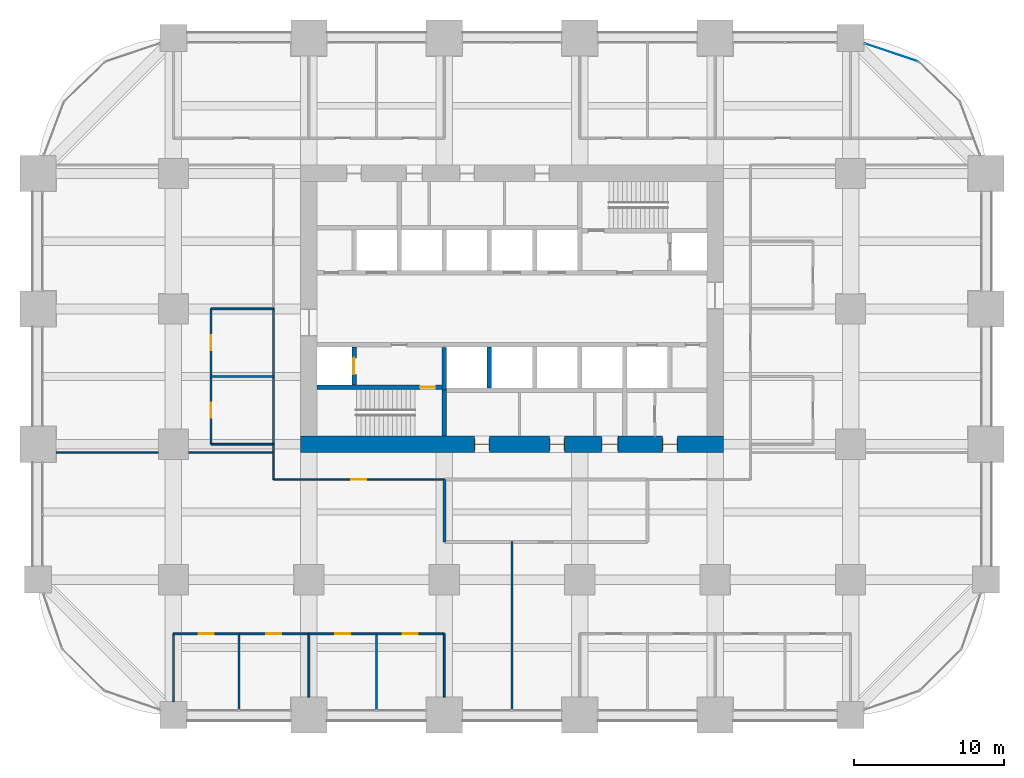
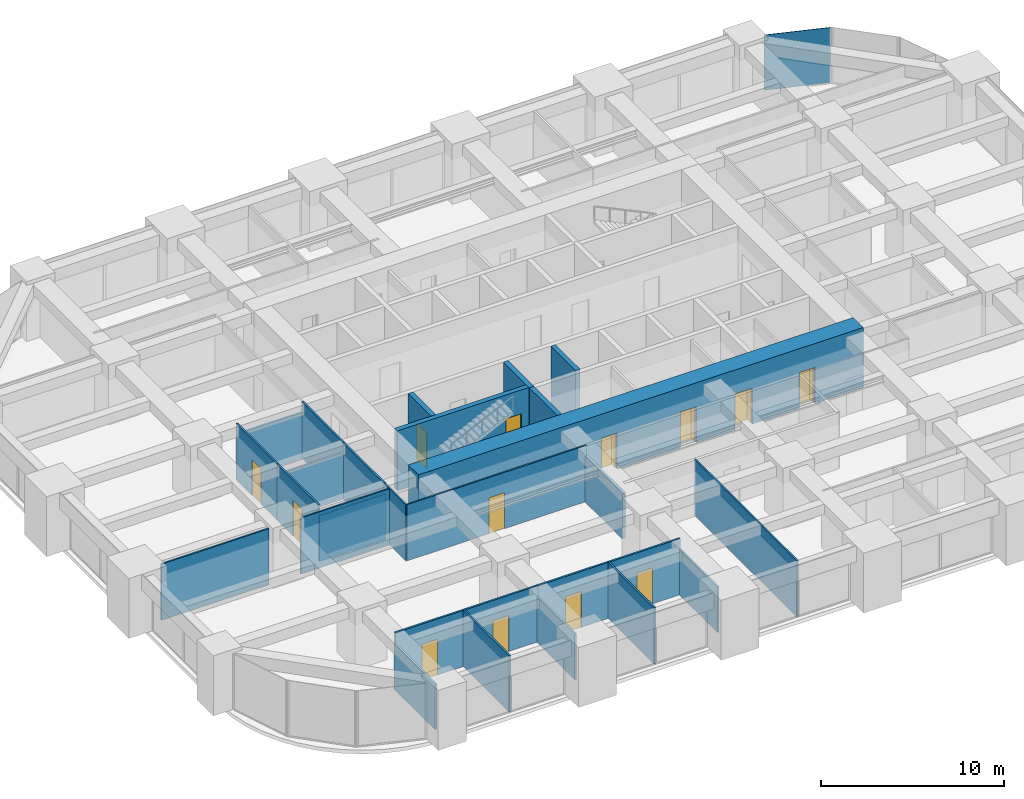
# One storey, part 36 of 41: 28 walls, 13 doors, 1 plate, 13 openings, 1 element without a shape of its own.
"""IFC4 building model written with IfcOpenShell, lengths in metres."""

from ifc_helpers import new_model, si_unit, direction, frame, frame_2d, origin, origin_2d, place, context, subcontext, project, spatial, rectangle, extrude, material, layer, layer_set, type_object, element, fill, aggregate, save


model = new_model("IFC4")

# Units and contexts
model_context = context("Model", 3, precision=1e-05, world=origin(), true_north=direction((0.0, 1.0)))
body_context = subcontext(model_context, "Body", "Model", "MODEL_VIEW")
ifc_project = project(units=[si_unit("LENGTHUNIT", "METRE"), si_unit("AREAUNIT", "SQUARE_METRE"), si_unit("VOLUMEUNIT", "CUBIC_METRE"), si_unit("PLANEANGLEUNIT", "RADIAN"), si_unit("MASSUNIT", "GRAM", prefix="KILO")], contexts=[model_context])

# Site, building, storey
site_placement = place(None, origin())
site = spatial("IfcSite", under=ifc_project, at=site_placement, CompositionType="ELEMENT")
building_placement = place(site_placement, origin())
building = spatial("IfcBuilding", under=site, at=building_placement, Name="Zorevar Civic Tower", CompositionType="ELEMENT")
storey_placement = place(building_placement, frame((0.0, 0.0, 105.0)))
storey = spatial("IfcBuildingStorey", under=building, at=storey_placement, Name="L25", CompositionType="ELEMENT", Elevation=105.0)

# Curtain wall, plate
ifc_material_1 = material(Name="Dark grey solar-control glass in black aluminium frame", Category="aluminium")
curtain_wall_type = type_object("IfcCurtainWallType", Name="Curtain wall CW3 mid zone", PredefinedType="NOTDEFINED", material=ifc_material_1)
curtain_wall_placement = place(storey_placement, origin())
curtain_wall = element("IfcCurtainWall", 1, at=curtain_wall_placement, inside=storey, type_object=curtain_wall_type, Name="CW3 L25", PredefinedType="NOTDEFINED")
ifc_material_2 = material(Name="Dark grey solar-control glass", Category="glass")
ifc_layer_1 = layer(ifc_material_2, 0.030029296875)
ifc_layer_set_1 = layer_set([ifc_layer_1], Name="CW3 panel 30")
plate_type = type_object("IfcPlateType", Name="CW3 panel 30", PredefinedType="CURTAIN_PANEL", material=ifc_layer_set_1)
plate_placement = place(storey_placement, frame((56.7109375, 44.04296875, 0.06005859375), z_axis=(0.0, 0.0, 1.0), x_axis=(-0.947615765406, 0.319412525043, 0.0)))
plate = element("IfcPlate", 2, at=plate_placement, type_object=plate_type, Name="CW3 panel 1.1", PredefinedType="CURTAIN_PANEL", context=body_context, shape_type="SweptSolid", body=[
    extrude(rectangle(XDim=3.7021484375, YDim=0.030029296875, at=origin_2d()), origin(), (0.0, 0.0, 1.0), 3.68994140625),
])
aggregate(curtain_wall, [plate])

# Wall
ifc_material_3 = material(Name="Concrete blockwork", Category="masonry")
ifc_layer_2 = layer(ifc_material_3, 0.199951171875)
ifc_layer_set_2 = layer_set([ifc_layer_2], Name="Blockwork wall 200")
wall_type_1 = type_object("IfcWallType", Name="Blockwork wall 200", PredefinedType="SOLIDWALL", material=ifc_layer_set_2)
wall_1_placement = place(storey_placement, frame((27.0, 11.5, 0.0), z_axis=(0.0, 0.0, 1.0), x_axis=(0.0, 1.0, 0.0)))
element("IfcWall", 3, at=wall_1_placement, inside=storey, type_object=wall_type_1, Name="Blockwork wall 200 L25", PredefinedType="SOLIDWALL", context=body_context, shape_type="SweptSolid", body=[
    extrude(rectangle(XDim=4.14990234375, YDim=0.199951171875, at=frame_2d((2.074951171875, 0.0))), origin(), (0.0, 0.0, 1.0), 3.050048828125),
])

# Wall, openings, doors
ifc_material_4 = material(Name="Concrete C50/60", Category="concrete")
ifc_layer_3 = layer(ifc_material_4, 1.10009765625)
ifc_layer_set_3 = layer_set([ifc_layer_3], Name="Core wall 1100")
wall_type_2 = type_object("IfcWallType", Name="Core wall 1100", PredefinedType="SHEAR", material=ifc_layer_set_3)
wall_2_placement = place(storey_placement, frame((17.449951171875, 18.0, 0.0), z_axis=(0.0, 0.0, 1.0), x_axis=(1.0, 0.0, 0.0)))
wall_2 = element("IfcWall", 4, at=wall_2_placement, inside=storey, type_object=wall_type_2, Name="Core wall S L25", PredefinedType="SHEAR", context=body_context, shape_type="SweptSolid", body=[
    extrude(rectangle(XDim=28.10009765625, YDim=1.10009765625, at=frame_2d((14.050048828125, 0.0))), origin(), (0.0, 0.0, 1.0), 4.0),
])
opening_1_placement = place(wall_2_placement, frame((11.550048828125, 0.0, 0.0)))
opening_1 = element("IfcOpeningElement", 5, at=opening_1_placement, cuts=wall_2, Name="Opening L25.03", PredefinedType="OPENING", context=body_context, shape_type="SweptSolid", body=[
    extrude(rectangle(XDim=1.0, YDim=2.39990234375, at=frame_2d((0.5, 1.199951171875))), frame((0.0, 0.56005859375, 0.0), z_axis=(0.0, -1.0, 0.0), x_axis=(1.0, 0.0, 0.0)), (0.0, 0.0, 1.0), 1.1201171875),
])
opening_2_placement = place(wall_2_placement, frame((16.550048828125, 0.0, 0.0)))
opening_2 = element("IfcOpeningElement", 6, at=opening_2_placement, cuts=wall_2, Name="Opening L25.04", PredefinedType="OPENING", context=body_context, shape_type="SweptSolid", body=[
    extrude(rectangle(XDim=1.0, YDim=2.39990234375, at=frame_2d((0.5, 1.199951171875))), frame((0.0, 0.56005859375, 0.0), z_axis=(0.0, -1.0, 0.0), x_axis=(1.0, 0.0, 0.0)), (0.0, 0.0, 1.0), 1.1201171875),
])
opening_3_placement = place(wall_2_placement, frame((20.0, 0.0, 0.0)))
opening_3 = element("IfcOpeningElement", 7, at=opening_3_placement, cuts=wall_2, Name="Opening L25.05", PredefinedType="OPENING", context=body_context, shape_type="SweptSolid", body=[
    extrude(rectangle(XDim=1.10009765625, YDim=2.39990234375, at=frame_2d((0.550048828125, 1.199951171875))), frame((0.0, 0.56005859375, 0.0), z_axis=(0.0, -1.0, 0.0), x_axis=(1.0, 0.0, 0.0)), (0.0, 0.0, 1.0), 1.1201171875),
])
opening_4_placement = place(wall_2_placement, frame((24.050048828125, 0.0, 0.0)))
opening_4 = element("IfcOpeningElement", 8, at=opening_4_placement, cuts=wall_2, Name="Opening L25.06", PredefinedType="OPENING", context=body_context, shape_type="SweptSolid", body=[
    extrude(rectangle(XDim=1.0, YDim=2.39990234375, at=frame_2d((0.5, 1.199951171875))), frame((0.0, 0.56005859375, 0.0), z_axis=(0.0, -1.0, 0.0), x_axis=(1.0, 0.0, 0.0)), (0.0, 0.0, 1.0), 1.1201171875),
])
ifc_material_5 = material(Name="Timber door set", Category="wood")
door_type_1 = type_object("IfcDoorType", Name="Door D1 1000x2400", OperationType="SINGLE_SWING_LEFT", PredefinedType="DOOR", material=ifc_material_5)
door_1_placement = place(opening_1_placement, origin())
door_1 = element("IfcDoor", 9, at=door_1_placement, inside=storey, type_object=door_type_1, Name="Door L25 02", OperationType="SINGLE_SWING_RIGHT", OverallHeight=2.39990234375, OverallWidth=1.0, PredefinedType="DOOR", context=body_context, shape_type="SweptSolid", body=[
    extrude(rectangle(XDim=1.0, YDim=2.39990234375, at=frame_2d((0.5, 1.199951171875))), frame((0.0, 0.02490234375, 0.0), z_axis=(0.0, -1.0, 0.0), x_axis=(1.0, 0.0, 0.0)), (0.0, 0.0, 1.0), 0.050048828125),
    extrude(rectangle(XDim=0.04, YDim=2.39990234375, at=frame_2d((0.02001953125, 1.199951171875))), frame((0.0, 0.39990234375, 0.0), z_axis=(0.0, -1.0, 0.0), x_axis=(1.0, 0.0, 0.0)), (0.0, 0.0, 1.0), 0.800048828125),
    extrude(rectangle(XDim=0.04, YDim=2.39990234375, at=frame_2d((0.97998046875, 1.199951171875))), frame((0.0, 0.39990234375, 0.0), z_axis=(0.0, -1.0, 0.0), x_axis=(1.0, 0.0, 0.0)), (0.0, 0.0, 1.0), 0.800048828125),
    extrude(rectangle(XDim=1.0, YDim=0.04, at=frame_2d((0.5, 2.3798828125))), frame((0.0, 0.39990234375, 0.0), z_axis=(0.0, -1.0, 0.0), x_axis=(1.0, 0.0, 0.0)), (0.0, 0.0, 1.0), 0.800048828125),
])
fill(opening_1, door_1)
door_2_placement = place(opening_2_placement, origin())
door_2 = element("IfcDoor", 10, at=door_2_placement, inside=storey, type_object=door_type_1, Name="Door L25 03", OperationType="SINGLE_SWING_LEFT", OverallHeight=2.39990234375, OverallWidth=1.0, PredefinedType="DOOR", context=body_context, shape_type="SweptSolid", body=[
    extrude(rectangle(XDim=1.0, YDim=2.39990234375, at=frame_2d((0.5, 1.199951171875))), frame((0.0, 0.02490234375, 0.0), z_axis=(0.0, -1.0, 0.0), x_axis=(1.0, 0.0, 0.0)), (0.0, 0.0, 1.0), 0.050048828125),
    extrude(rectangle(XDim=0.04, YDim=2.39990234375, at=frame_2d((0.02001953125, 1.199951171875))), frame((0.0, 0.39990234375, 0.0), z_axis=(0.0, -1.0, 0.0), x_axis=(1.0, 0.0, 0.0)), (0.0, 0.0, 1.0), 0.800048828125),
    extrude(rectangle(XDim=0.04, YDim=2.39990234375, at=frame_2d((0.97998046875, 1.199951171875))), frame((0.0, 0.39990234375, 0.0), z_axis=(0.0, -1.0, 0.0), x_axis=(1.0, 0.0, 0.0)), (0.0, 0.0, 1.0), 0.800048828125),
    extrude(rectangle(XDim=1.0, YDim=0.04, at=frame_2d((0.5, 2.3798828125))), frame((0.0, 0.39990234375, 0.0), z_axis=(0.0, -1.0, 0.0), x_axis=(1.0, 0.0, 0.0)), (0.0, 0.0, 1.0), 0.800048828125),
])
fill(opening_2, door_2)
door_3_placement = place(opening_4_placement, origin())
door_3 = element("IfcDoor", 11, at=door_3_placement, inside=storey, type_object=door_type_1, Name="Door L25 05", OperationType="SINGLE_SWING_LEFT", OverallHeight=2.39990234375, OverallWidth=1.0, PredefinedType="DOOR", context=body_context, shape_type="SweptSolid", body=[
    extrude(rectangle(XDim=1.0, YDim=2.39990234375, at=frame_2d((0.5, 1.199951171875))), frame((0.0, 0.02490234375, 0.0), z_axis=(0.0, -1.0, 0.0), x_axis=(1.0, 0.0, 0.0)), (0.0, 0.0, 1.0), 0.050048828125),
    extrude(rectangle(XDim=0.04, YDim=2.39990234375, at=frame_2d((0.02001953125, 1.199951171875))), frame((0.0, 0.39990234375, 0.0), z_axis=(0.0, -1.0, 0.0), x_axis=(1.0, 0.0, 0.0)), (0.0, 0.0, 1.0), 0.800048828125),
    extrude(rectangle(XDim=0.04, YDim=2.39990234375, at=frame_2d((0.97998046875, 1.199951171875))), frame((0.0, 0.39990234375, 0.0), z_axis=(0.0, -1.0, 0.0), x_axis=(1.0, 0.0, 0.0)), (0.0, 0.0, 1.0), 0.800048828125),
    extrude(rectangle(XDim=1.0, YDim=0.04, at=frame_2d((0.5, 2.3798828125))), frame((0.0, 0.39990234375, 0.0), z_axis=(0.0, -1.0, 0.0), x_axis=(1.0, 0.0, 0.0)), (0.0, 0.0, 1.0), 0.800048828125),
])
fill(opening_4, door_3)
ifc_material_6 = material(Name="Timber door set", Category="wood")
door_type_2 = type_object("IfcDoorType", Name="Door D5 1100x2400", OperationType="SINGLE_SWING_LEFT", PredefinedType="DOOR", material=ifc_material_6)
door_4_placement = place(opening_3_placement, origin())
door_4 = element("IfcDoor", 12, at=door_4_placement, inside=storey, type_object=door_type_2, Name="Door L25 04", OperationType="SINGLE_SWING_LEFT", OverallHeight=2.39990234375, OverallWidth=1.10009765625, PredefinedType="DOOR", context=body_context, shape_type="SweptSolid", body=[
    extrude(rectangle(XDim=1.10009765625, YDim=2.39990234375, at=frame_2d((0.550048828125, 1.199951171875))), frame((0.0, 0.02490234375, 0.0), z_axis=(0.0, -1.0, 0.0), x_axis=(1.0, 0.0, 0.0)), (0.0, 0.0, 1.0), 0.050048828125),
    extrude(rectangle(XDim=0.04, YDim=2.39990234375, at=frame_2d((0.02001953125, 1.199951171875))), frame((0.0, 0.43994140625, 0.0), z_axis=(0.0, -1.0, 0.0), x_axis=(1.0, 0.0, 0.0)), (0.0, 0.0, 1.0), 0.880126953125),
    extrude(rectangle(XDim=0.04, YDim=2.39990234375, at=frame_2d((1.080078125, 1.199951171875))), frame((0.0, 0.43994140625, 0.0), z_axis=(0.0, -1.0, 0.0), x_axis=(1.0, 0.0, 0.0)), (0.0, 0.0, 1.0), 0.880126953125),
    extrude(rectangle(XDim=1.10009765625, YDim=0.04, at=frame_2d((0.550048828125, 2.3798828125))), frame((0.0, 0.43994140625, 0.0), z_axis=(0.0, -1.0, 0.0), x_axis=(1.0, 0.0, 0.0)), (0.0, 0.0, 1.0), 0.880126953125),
])
fill(opening_3, door_4)

# Wall, opening, door
ifc_material_7 = material(Name="Laminated glass in black aluminium frame", Category="aluminium")
ifc_layer_4 = layer(ifc_material_7, 0.10009765625)
ifc_layer_set_4 = layer_set([ifc_layer_4], Name="Glazed partition 100")
wall_type_3 = type_object("IfcWallType", Name="Glazed partition 100", PredefinedType="PARTITIONING", material=ifc_layer_set_4)
wall_3_placement = place(storey_placement, frame((15.64990234375, 15.64990234375, 0.0), z_axis=(0.0, 0.0, 1.0), x_axis=(1.0, 0.0, 0.0)))
wall_3 = element("IfcWall", 13, at=wall_3_placement, inside=storey, type_object=wall_type_3, Name="Glazed partition 100 L25", PredefinedType="PARTITIONING", context=body_context, shape_type="SweptSolid", body=[
    extrude(rectangle(XDim=11.35009765625, YDim=0.10009765625, at=frame_2d((5.675048828125, 0.0))), origin(), (0.0, 0.0, 1.0), 3.75),
])
opening_5_placement = place(wall_3_placement, frame((5.175048828125, 0.0, 0.0)))
opening_5 = element("IfcOpeningElement", 14, at=opening_5_placement, cuts=wall_3, Name="Opening L25.26", PredefinedType="OPENING", context=body_context, shape_type="SweptSolid", body=[
    extrude(rectangle(XDim=1.0, YDim=2.39990234375, at=frame_2d((0.5, 1.199951171875))), frame((0.0, 0.06005859375, 0.0), z_axis=(0.0, -1.0, 0.0), x_axis=(1.0, 0.0, 0.0)), (0.0, 0.0, 1.0), 0.1201171875),
])
ifc_material_8 = material(Name="Timber door set", Category="wood")
door_type_3 = type_object("IfcDoorType", Name="Glazed door GD1 1000x2400", OperationType="SINGLE_SWING_LEFT", PredefinedType="DOOR", material=ifc_material_8)
door_5_placement = place(opening_5_placement, origin())
door_5 = element("IfcDoor", 15, at=door_5_placement, inside=storey, type_object=door_type_3, Name="Door L25 D1", OperationType="SINGLE_SWING_RIGHT", OverallHeight=2.39990234375, OverallWidth=1.0, PredefinedType="DOOR", context=body_context, shape_type="SweptSolid", body=[
    extrude(rectangle(XDim=1.0, YDim=2.39990234375, at=frame_2d((0.5, 1.199951171875))), frame((0.0, 0.02001953125, 0.0), z_axis=(0.0, -1.0, 0.0), x_axis=(1.0, 0.0, 0.0)), (0.0, 0.0, 1.0), 0.0400390625),
])
fill(opening_5, door_5)

# Walls
wall_4_placement = place(storey_placement, frame((1.199951171875, 17.449951171875, 0.0), z_axis=(0.0, 0.0, 1.0), x_axis=(1.0, 0.0, 0.0)))
element("IfcWall", 16, at=wall_4_placement, inside=storey, type_object=wall_type_3, Name="Glazed partition 100 L25", PredefinedType="PARTITIONING", context=body_context, shape_type="SweptSolid", body=[
    extrude(rectangle(XDim=6.800048828125, YDim=0.10009765625, at=frame_2d((3.39990234375, 0.0))), origin(), (0.0, 0.0, 1.0), 3.75),
])
wall_5_placement = place(storey_placement, frame((10.0, 17.449951171875, 0.0), z_axis=(0.0, 0.0, 1.0), x_axis=(1.0, 0.0, 0.0)))
element("IfcWall", 17, at=wall_5_placement, inside=storey, type_object=wall_type_3, Name="Glazed partition 100 L25", PredefinedType="PARTITIONING", context=body_context, shape_type="SweptSolid", body=[
    extrude(rectangle(XDim=5.64990234375, YDim=0.10009765625, at=frame_2d((2.824951171875, 0.0))), origin(), (0.0, 0.0, 1.0), 3.75),
])
wall_6_placement = place(storey_placement, frame((15.64990234375, 15.64990234375, 0.0), z_axis=(0.0, 0.0, 1.0), x_axis=(0.0, 1.0, 0.0)))
element("IfcWall", 18, at=wall_6_placement, inside=storey, type_object=wall_type_3, Name="Glazed partition 100 L25", PredefinedType="PARTITIONING", context=body_context, shape_type="SweptSolid", body=[
    extrude(rectangle(XDim=2.35009765625, YDim=0.10009765625, at=frame_2d((1.175048828125, 0.0))), origin(), (0.0, 0.0, 1.0), 3.75),
])
wall_7_placement = place(storey_placement, frame((31.5, 0.31005859375, 0.0), z_axis=(0.0, 0.0, 1.0), x_axis=(0.0, 1.0, 0.0)))
element("IfcWall", 19, at=wall_7_placement, inside=storey, type_object=wall_type_3, Name="Glazed partition 100 L25", PredefinedType="PARTITIONING", context=body_context, shape_type="SweptSolid", body=[
    extrude(rectangle(XDim=11.199951171875, YDim=0.10009765625, at=frame_2d((5.60009765625, 0.0))), origin(), (0.0, 0.0, 1.0), 3.75),
])

# Wall, opening, door
ifc_material_9 = material(Name="Concrete C40/50", Category="concrete")
ifc_layer_5 = layer(ifc_material_9, 0.300048828125)
ifc_layer_set_5 = layer_set([ifc_layer_5], Name="Inner core wall 300")
wall_type_4 = type_object("IfcWallType", Name="Inner core wall 300", PredefinedType="SHEAR", material=ifc_layer_set_5)
wall_8_placement = place(storey_placement, frame((18.550048828125, 21.800048828125, 0.0), z_axis=(0.0, 0.0, 1.0), x_axis=(1.0, 0.0, 0.0)))
wall_8 = element("IfcWall", 20, at=wall_8_placement, inside=storey, type_object=wall_type_4, Name="Inner core wall S00 L25", PredefinedType="SHEAR", context=body_context, shape_type="SweptSolid", body=[
    extrude(rectangle(XDim=8.300048828125, YDim=0.300048828125, at=frame_2d((4.14990234375, 0.0))), origin(), (0.0, 0.0, 1.0), 4.0),
])
opening_6_placement = place(wall_8_placement, frame((6.85009765625, 0.0, 0.0)))
opening_6 = element("IfcOpeningElement", 21, at=opening_6_placement, cuts=wall_8, Name="Opening L25.11", PredefinedType="OPENING", context=body_context, shape_type="SweptSolid", body=[
    extrude(rectangle(XDim=1.0, YDim=2.39990234375, at=frame_2d((0.5, 1.199951171875))), frame((0.0, 0.159912109375, 0.0), z_axis=(0.0, -1.0, 0.0), x_axis=(1.0, 0.0, 0.0)), (0.0, 0.0, 1.0), 0.320068359375),
])
ifc_material_10 = material(Name="Steel door set", Category="steel")
door_type_4 = type_object("IfcDoorType", Name="Fire door FD1 1000x2400", OperationType="SINGLE_SWING_LEFT", PredefinedType="DOOR", material=ifc_material_10)
door_6_placement = place(opening_6_placement, origin())
door_6 = element("IfcDoor", 22, at=door_6_placement, inside=storey, type_object=door_type_4, Name="Door L25 10", OperationType="SINGLE_SWING_RIGHT", OverallHeight=2.39990234375, OverallWidth=1.0, PredefinedType="DOOR", context=body_context, shape_type="SweptSolid", body=[
    extrude(rectangle(XDim=1.0, YDim=2.39990234375, at=frame_2d((0.5, 1.199951171875))), frame((0.0, 0.030029296875, 0.0), z_axis=(0.0, -1.0, 0.0), x_axis=(1.0, 0.0, 0.0)), (0.0, 0.0, 1.0), 0.06005859375),
])
fill(opening_6, door_6)

# Wall
wall_9_placement = place(storey_placement, frame((27.0, 18.550048828125, 0.0), z_axis=(0.0, 0.0, 1.0), x_axis=(0.0, 1.0, 0.0)))
element("IfcWall", 23, at=wall_9_placement, inside=storey, type_object=wall_type_4, Name="Inner core wall S01 L25", PredefinedType="SHEAR", context=body_context, shape_type="SweptSolid", body=[
    extrude(rectangle(XDim=3.050048828125, YDim=0.300048828125, at=frame_2d((1.52490234375, 0.0))), origin(), (0.0, 0.0, 1.0), 4.0),
])

# Wall, opening, door
wall_10_placement = place(storey_placement, frame((21.0, 21.949951171875, 0.0), z_axis=(0.0, 0.0, 1.0), x_axis=(0.0, 1.0, 0.0)))
wall_10 = element("IfcWall", 24, at=wall_10_placement, inside=storey, type_object=wall_type_4, Name="Inner core wall S02 L25", PredefinedType="SHEAR", context=body_context, shape_type="SweptSolid", body=[
    extrude(rectangle(XDim=2.5, YDim=0.300048828125, at=frame_2d((1.25, 0.0))), origin(), (0.0, 0.0, 1.0), 4.0),
])
opening_7_placement = place(wall_10_placement, frame((0.699951171875, 0.0, 0.0)))
opening_7 = element("IfcOpeningElement", 25, at=opening_7_placement, cuts=wall_10, Name="Opening L25.FL1", PredefinedType="OPENING", context=body_context, shape_type="SweptSolid", body=[
    extrude(rectangle(XDim=1.10009765625, YDim=2.39990234375, at=frame_2d((0.550048828125, 1.199951171875))), frame((0.0, 0.159912109375, 0.0), z_axis=(0.0, -1.0, 0.0), x_axis=(1.0, 0.0, 0.0)), (0.0, 0.0, 1.0), 0.320068359375),
])
ifc_material_11 = material(Name="Steel door set", Category="steel")
door_type_5 = type_object("IfcDoorType", Name="Firefighting lift landing door LD3 1100x2400", OperationType="DOUBLE_DOOR_SLIDING", PredefinedType="DOOR", material=ifc_material_11)
door_7_placement = place(opening_7_placement, origin())
door_7 = element("IfcDoor", 26, at=door_7_placement, inside=storey, type_object=door_type_5, Name="Landing door FL1 L25", OperationType="DOUBLE_DOOR_SLIDING", OverallHeight=2.39990234375, OverallWidth=1.10009765625, PredefinedType="DOOR", context=body_context, shape_type="SweptSolid", body=[
    extrude(rectangle(XDim=1.10009765625, YDim=2.39990234375, at=frame_2d((0.550048828125, 1.199951171875))), frame((0.0, 0.030029296875, 0.0), z_axis=(0.0, -1.0, 0.0), x_axis=(1.0, 0.0, 0.0)), (0.0, 0.0, 1.0), 0.06005859375),
])
fill(opening_7, door_7)

# Walls
wall_11_placement = place(storey_placement, frame((30.0, 21.75, 0.0), z_axis=(0.0, 0.0, 1.0), x_axis=(0.0, 1.0, 0.0)))
element("IfcWall", 27, at=wall_11_placement, inside=storey, type_object=wall_type_4, Name="Inner core wall S05 L25", PredefinedType="SHEAR", context=body_context, shape_type="SweptSolid", body=[
    extrude(rectangle(XDim=2.699951171875, YDim=0.300048828125, at=frame_2d((1.35009765625, 0.0))), origin(), (0.0, 0.0, 1.0), 4.0),
])
wall_12_placement = place(storey_placement, frame((27.0, 21.60009765625, 0.0), z_axis=(0.0, 0.0, 1.0), x_axis=(0.0, 1.0, 0.0)))
element("IfcWall", 28, at=wall_12_placement, inside=storey, type_object=wall_type_4, Name="Inner core wall S10 L25", PredefinedType="SHEAR", context=body_context, shape_type="SweptSolid", body=[
    extrude(rectangle(XDim=2.849853515625, YDim=0.300048828125, at=frame_2d((1.4248046875, 0.0))), origin(), (0.0, 0.0, 1.0), 4.0),
])

# Wall, opening, door
ifc_material_12 = material(Name="Gypsum board on steel studs", Category="steel")
ifc_layer_6 = layer(ifc_material_12, 0.1201171875)
ifc_layer_set_6 = layer_set([ifc_layer_6], Name="Partition 120")
wall_type_5 = type_object("IfcWallType", Name="Partition 120", PredefinedType="PARTITIONING", material=ifc_layer_set_6)
wall_13_placement = place(storey_placement, frame((9.0, 5.39990234375, 0.0), z_axis=(0.0, 0.0, 1.0), x_axis=(1.0, 0.0, 0.0)))
wall_13 = element("IfcWall", 29, at=wall_13_placement, inside=storey, type_object=wall_type_5, Name="Partition 120 L25", PredefinedType="PARTITIONING", context=body_context, shape_type="SweptSolid", body=[
    extrude(rectangle(XDim=4.35009765625, YDim=0.1201171875, at=frame_2d((2.175048828125, 0.0))), origin(), (0.0, 0.0, 1.0), 3.75),
])
opening_8_placement = place(wall_13_placement, frame((1.675048828125, 0.0, 0.0)))
opening_8 = element("IfcOpeningElement", 30, at=opening_8_placement, cuts=wall_13, Name="Opening L25.17", PredefinedType="OPENING", context=body_context, shape_type="SweptSolid", body=[
    extrude(rectangle(XDim=1.0, YDim=2.39990234375, at=frame_2d((0.5, 1.199951171875))), frame((0.0, 0.070068359375, 0.0), z_axis=(0.0, -1.0, 0.0), x_axis=(1.0, 0.0, 0.0)), (0.0, 0.0, 1.0), 0.14013671875),
])
door_8_placement = place(opening_8_placement, origin())
door_8 = element("IfcDoor", 31, at=door_8_placement, inside=storey, type_object=door_type_1, Name="Door L25 D1", OperationType="SINGLE_SWING_RIGHT", OverallHeight=2.39990234375, OverallWidth=1.0, PredefinedType="DOOR", context=body_context, shape_type="SweptSolid", body=[
    extrude(rectangle(XDim=1.0, YDim=2.39990234375, at=frame_2d((0.5, 1.199951171875))), frame((0.0, 0.02490234375, 0.0), z_axis=(0.0, -1.0, 0.0), x_axis=(1.0, 0.0, 0.0)), (0.0, 0.0, 1.0), 0.050048828125),
])
fill(opening_8, door_8)

wall_14_placement = place(storey_placement, frame((13.35009765625, 5.39990234375, 0.0), z_axis=(0.0, 0.0, 1.0), x_axis=(1.0, 0.0, 0.0)))
wall_14 = element("IfcWall", 32, at=wall_14_placement, inside=storey, type_object=wall_type_5, Name="Partition 120 L25", PredefinedType="PARTITIONING", context=body_context, shape_type="SweptSolid", body=[
    extrude(rectangle(XDim=4.64990234375, YDim=0.1201171875, at=frame_2d((2.324951171875, 0.0))), origin(), (0.0, 0.0, 1.0), 3.75),
])
opening_9_placement = place(wall_14_placement, frame((1.824951171875, 0.0, 0.0)))
opening_9 = element("IfcOpeningElement", 33, at=opening_9_placement, cuts=wall_14, Name="Opening L25.18", PredefinedType="OPENING", context=body_context, shape_type="SweptSolid", body=[
    extrude(rectangle(XDim=1.0, YDim=2.39990234375, at=frame_2d((0.5, 1.199951171875))), frame((0.0, 0.070068359375, 0.0), z_axis=(0.0, -1.0, 0.0), x_axis=(1.0, 0.0, 0.0)), (0.0, 0.0, 1.0), 0.14013671875),
])
door_9_placement = place(opening_9_placement, origin())
door_9 = element("IfcDoor", 34, at=door_9_placement, inside=storey, type_object=door_type_1, Name="Door L25 D1", OperationType="SINGLE_SWING_RIGHT", OverallHeight=2.39990234375, OverallWidth=1.0, PredefinedType="DOOR", context=body_context, shape_type="SweptSolid", body=[
    extrude(rectangle(XDim=1.0, YDim=2.39990234375, at=frame_2d((0.5, 1.199951171875))), frame((0.0, 0.02490234375, 0.0), z_axis=(0.0, -1.0, 0.0), x_axis=(1.0, 0.0, 0.0)), (0.0, 0.0, 1.0), 0.050048828125),
])
fill(opening_9, door_9)

wall_15_placement = place(storey_placement, frame((18.0, 5.39990234375, 0.0), z_axis=(0.0, 0.0, 1.0), x_axis=(1.0, 0.0, 0.0)))
wall_15 = element("IfcWall", 35, at=wall_15_placement, inside=storey, type_object=wall_type_5, Name="Partition 120 L25", PredefinedType="PARTITIONING", context=body_context, shape_type="SweptSolid", body=[
    extrude(rectangle(XDim=4.5, YDim=0.1201171875, at=frame_2d((2.25, 0.0))), origin(), (0.0, 0.0, 1.0), 3.75),
])
opening_10_placement = place(wall_15_placement, frame((1.75, 0.0, 0.0)))
opening_10 = element("IfcOpeningElement", 36, at=opening_10_placement, cuts=wall_15, Name="Opening L25.19", PredefinedType="OPENING", context=body_context, shape_type="SweptSolid", body=[
    extrude(rectangle(XDim=1.0, YDim=2.39990234375, at=frame_2d((0.5, 1.199951171875))), frame((0.0, 0.070068359375, 0.0), z_axis=(0.0, -1.0, 0.0), x_axis=(1.0, 0.0, 0.0)), (0.0, 0.0, 1.0), 0.14013671875),
])
door_10_placement = place(opening_10_placement, origin())
door_10 = element("IfcDoor", 37, at=door_10_placement, inside=storey, type_object=door_type_1, Name="Door L25 D1", OperationType="SINGLE_SWING_LEFT", OverallHeight=2.39990234375, OverallWidth=1.0, PredefinedType="DOOR", context=body_context, shape_type="SweptSolid", body=[
    extrude(rectangle(XDim=1.0, YDim=2.39990234375, at=frame_2d((0.5, 1.199951171875))), frame((0.0, 0.02490234375, 0.0), z_axis=(0.0, -1.0, 0.0), x_axis=(1.0, 0.0, 0.0)), (0.0, 0.0, 1.0), 0.050048828125),
])
fill(opening_10, door_10)

wall_16_placement = place(storey_placement, frame((22.5, 5.39990234375, 0.0), z_axis=(0.0, 0.0, 1.0), x_axis=(1.0, 0.0, 0.0)))
wall_16 = element("IfcWall", 38, at=wall_16_placement, inside=storey, type_object=wall_type_5, Name="Partition 120 L25", PredefinedType="PARTITIONING", context=body_context, shape_type="SweptSolid", body=[
    extrude(rectangle(XDim=4.5, YDim=0.1201171875, at=frame_2d((2.25, 0.0))), origin(), (0.0, 0.0, 1.0), 3.75),
])
opening_11_placement = place(wall_16_placement, frame((1.75, 0.0, 0.0)))
opening_11 = element("IfcOpeningElement", 39, at=opening_11_placement, cuts=wall_16, Name="Opening L25.20", PredefinedType="OPENING", context=body_context, shape_type="SweptSolid", body=[
    extrude(rectangle(XDim=1.0, YDim=2.39990234375, at=frame_2d((0.5, 1.199951171875))), frame((0.0, 0.070068359375, 0.0), z_axis=(0.0, -1.0, 0.0), x_axis=(1.0, 0.0, 0.0)), (0.0, 0.0, 1.0), 0.14013671875),
])
door_11_placement = place(opening_11_placement, origin())
door_11 = element("IfcDoor", 40, at=door_11_placement, inside=storey, type_object=door_type_1, Name="Door L25 D1", OperationType="SINGLE_SWING_LEFT", OverallHeight=2.39990234375, OverallWidth=1.0, PredefinedType="DOOR", context=body_context, shape_type="SweptSolid", body=[
    extrude(rectangle(XDim=1.0, YDim=2.39990234375, at=frame_2d((0.5, 1.199951171875))), frame((0.0, 0.02490234375, 0.0), z_axis=(0.0, -1.0, 0.0), x_axis=(1.0, 0.0, 0.0)), (0.0, 0.0, 1.0), 0.050048828125),
])
fill(opening_11, door_11)

# Walls
wall_17_placement = place(storey_placement, frame((11.5, 18.0, 0.0), z_axis=(0.0, 0.0, 1.0), x_axis=(1.0, 0.0, 0.0)))
element("IfcWall", 41, at=wall_17_placement, inside=storey, type_object=wall_type_5, Name="Partition 120 L25", PredefinedType="PARTITIONING", context=body_context, shape_type="SweptSolid", body=[
    extrude(rectangle(XDim=4.14990234375, YDim=0.1201171875, at=frame_2d((2.074951171875, 0.0))), origin(), (0.0, 0.0, 1.0), 3.050048828125),
])
wall_18_placement = place(storey_placement, frame((11.5, 22.5, 0.0), z_axis=(0.0, 0.0, 1.0), x_axis=(1.0, 0.0, 0.0)))
element("IfcWall", 42, at=wall_18_placement, inside=storey, type_object=wall_type_5, Name="Partition 120 L25", PredefinedType="PARTITIONING", context=body_context, shape_type="SweptSolid", body=[
    extrude(rectangle(XDim=4.14990234375, YDim=0.1201171875, at=frame_2d((2.074951171875, 0.0))), origin(), (0.0, 0.0, 1.0), 3.10009765625),
])
wall_19_placement = place(storey_placement, frame((11.5, 27.0, 0.0), z_axis=(0.0, 0.0, 1.0), x_axis=(1.0, 0.0, 0.0)))
element("IfcWall", 43, at=wall_19_placement, inside=storey, type_object=wall_type_5, Name="Partition 120 L25", PredefinedType="PARTITIONING", context=body_context, shape_type="SweptSolid", body=[
    extrude(rectangle(XDim=4.14990234375, YDim=0.1201171875, at=frame_2d((2.074951171875, 0.0))), origin(), (0.0, 0.0, 1.0), 3.050048828125),
])
wall_20_placement = place(storey_placement, frame((9.0, 0.89990234375, 0.0), z_axis=(0.0, 0.0, 1.0), x_axis=(0.0, 1.0, 0.0)))
element("IfcWall", 44, at=wall_20_placement, inside=storey, type_object=wall_type_5, Name="Partition 120 L25", PredefinedType="PARTITIONING", context=body_context, shape_type="SweptSolid", body=[
    extrude(rectangle(XDim=4.5, YDim=0.1201171875, at=frame_2d((2.25, 0.0))), origin(), (0.0, 0.0, 1.0), 3.050048828125),
])

# Wall, opening, door
wall_21_placement = place(storey_placement, frame((11.5, 18.0, 0.0), z_axis=(0.0, 0.0, 1.0), x_axis=(0.0, 1.0, 0.0)))
wall_21 = element("IfcWall", 45, at=wall_21_placement, inside=storey, type_object=wall_type_5, Name="Partition 120 L25", PredefinedType="PARTITIONING", context=body_context, shape_type="SweptSolid", body=[
    extrude(rectangle(XDim=4.5, YDim=0.1201171875, at=frame_2d((2.25, 0.0))), origin(), (0.0, 0.0, 1.0), 3.75),
])
opening_12_placement = place(wall_21_placement, frame((1.75, 0.0, 0.0)))
opening_12 = element("IfcOpeningElement", 46, at=opening_12_placement, cuts=wall_21, Name="Opening L25.35", PredefinedType="OPENING", context=body_context, shape_type="SweptSolid", body=[
    extrude(rectangle(XDim=1.0, YDim=2.39990234375, at=frame_2d((0.5, 1.199951171875))), frame((0.0, 0.070068359375, 0.0), z_axis=(0.0, -1.0, 0.0), x_axis=(1.0, 0.0, 0.0)), (0.0, 0.0, 1.0), 0.14013671875),
])
door_12_placement = place(opening_12_placement, origin())
door_12 = element("IfcDoor", 47, at=door_12_placement, inside=storey, type_object=door_type_1, Name="Door L25 D1", OperationType="SINGLE_SWING_RIGHT", OverallHeight=2.39990234375, OverallWidth=1.0, PredefinedType="DOOR", context=body_context, shape_type="SweptSolid", body=[
    extrude(rectangle(XDim=1.0, YDim=2.39990234375, at=frame_2d((0.5, 1.199951171875))), frame((0.0, 0.02490234375, 0.0), z_axis=(0.0, -1.0, 0.0), x_axis=(1.0, 0.0, 0.0)), (0.0, 0.0, 1.0), 0.050048828125),
])
fill(opening_12, door_12)

wall_22_placement = place(storey_placement, frame((11.5, 22.5, 0.0), z_axis=(0.0, 0.0, 1.0), x_axis=(0.0, 1.0, 0.0)))
wall_22 = element("IfcWall", 48, at=wall_22_placement, inside=storey, type_object=wall_type_5, Name="Partition 120 L25", PredefinedType="PARTITIONING", context=body_context, shape_type="SweptSolid", body=[
    extrude(rectangle(XDim=4.5, YDim=0.1201171875, at=frame_2d((2.25, 0.0))), origin(), (0.0, 0.0, 1.0), 3.75),
])
opening_13_placement = place(wall_22_placement, frame((1.75, 0.0, 0.0)))
opening_13 = element("IfcOpeningElement", 49, at=opening_13_placement, cuts=wall_22, Name="Opening L25.36", PredefinedType="OPENING", context=body_context, shape_type="SweptSolid", body=[
    extrude(rectangle(XDim=1.0, YDim=2.39990234375, at=frame_2d((0.5, 1.199951171875))), frame((0.0, 0.070068359375, 0.0), z_axis=(0.0, -1.0, 0.0), x_axis=(1.0, 0.0, 0.0)), (0.0, 0.0, 1.0), 0.14013671875),
])
door_13_placement = place(opening_13_placement, origin())
door_13 = element("IfcDoor", 50, at=door_13_placement, inside=storey, type_object=door_type_1, Name="Door L25 D1", OperationType="SINGLE_SWING_RIGHT", OverallHeight=2.39990234375, OverallWidth=1.0, PredefinedType="DOOR", context=body_context, shape_type="SweptSolid", body=[
    extrude(rectangle(XDim=1.0, YDim=2.39990234375, at=frame_2d((0.5, 1.199951171875))), frame((0.0, 0.02490234375, 0.0), z_axis=(0.0, -1.0, 0.0), x_axis=(1.0, 0.0, 0.0)), (0.0, 0.0, 1.0), 0.050048828125),
])
fill(opening_13, door_13)

# Walls
wall_23_placement = place(storey_placement, frame((13.35009765625, 0.31005859375, 0.0), z_axis=(0.0, 0.0, 1.0), x_axis=(0.0, 1.0, 0.0)))
element("IfcWall", 51, at=wall_23_placement, inside=storey, type_object=wall_type_5, Name="Partition 120 L25", PredefinedType="PARTITIONING", context=body_context, shape_type="SweptSolid", body=[
    extrude(rectangle(XDim=5.08984375, YDim=0.1201171875, at=frame_2d((2.544921875, 0.0))), origin(), (0.0, 0.0, 1.0), 3.75),
])
for number, where, z_axis, x_axis, name in (
    (52, (15.64990234375, 18.0, 0.0), (0.0, 0.0, 1.0), (0.0, 1.0, 0.0), "Partition 120 L25"),
    (53, (15.64990234375, 22.5, 0.0), (0.0, 0.0, 1.0), (0.0, 1.0, 0.0), "Partition 120 L25"),
):
    element("IfcWall", number, at=place(storey_placement, frame(where, z_axis=z_axis, x_axis=x_axis)), inside=storey, type_object=wall_type_5, Name=name, PredefinedType="PARTITIONING", context=body_context, shape_type="SweptSolid", body=[
        extrude(rectangle(XDim=4.5, YDim=0.1201171875, at=frame_2d((2.25, 0.0))), origin(), (0.0, 0.0, 1.0), 3.75),
    ])
wall_24_placement = place(storey_placement, frame((18.0, 1.199951171875, 0.0), z_axis=(0.0, 0.0, 1.0), x_axis=(0.0, 1.0, 0.0)))
element("IfcWall", 54, at=wall_24_placement, inside=storey, type_object=wall_type_5, Name="Partition 120 L25", PredefinedType="PARTITIONING", context=body_context, shape_type="SweptSolid", body=[
    extrude(rectangle(XDim=4.199951171875, YDim=0.1201171875, at=frame_2d((2.10009765625, 0.0))), origin(), (0.0, 0.0, 1.0), 3.050048828125),
])
wall_25_placement = place(storey_placement, frame((22.5, 0.31005859375, 0.0), z_axis=(0.0, 0.0, 1.0), x_axis=(0.0, 1.0, 0.0)))
element("IfcWall", 55, at=wall_25_placement, inside=storey, type_object=wall_type_5, Name="Partition 120 L25", PredefinedType="PARTITIONING", context=body_context, shape_type="SweptSolid", body=[
    extrude(rectangle(XDim=5.08984375, YDim=0.1201171875, at=frame_2d((2.544921875, 0.0))), origin(), (0.0, 0.0, 1.0), 3.75),
])
wall_26_placement = place(storey_placement, frame((27.0, 1.199951171875, 0.0), z_axis=(0.0, 0.0, 1.0), x_axis=(0.0, 1.0, 0.0)))
element("IfcWall", 56, at=wall_26_placement, inside=storey, type_object=wall_type_5, Name="Partition 120 L25", PredefinedType="PARTITIONING", context=body_context, shape_type="SweptSolid", body=[
    extrude(rectangle(XDim=4.199951171875, YDim=0.1201171875, at=frame_2d((2.10009765625, 0.0))), origin(), (0.0, 0.0, 1.0), 3.050048828125),
])

save(model, "model.ifc")
